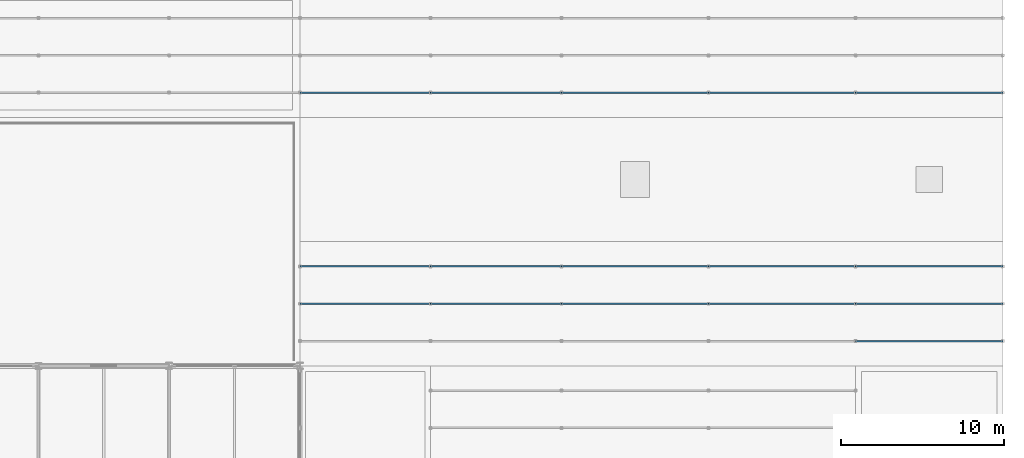
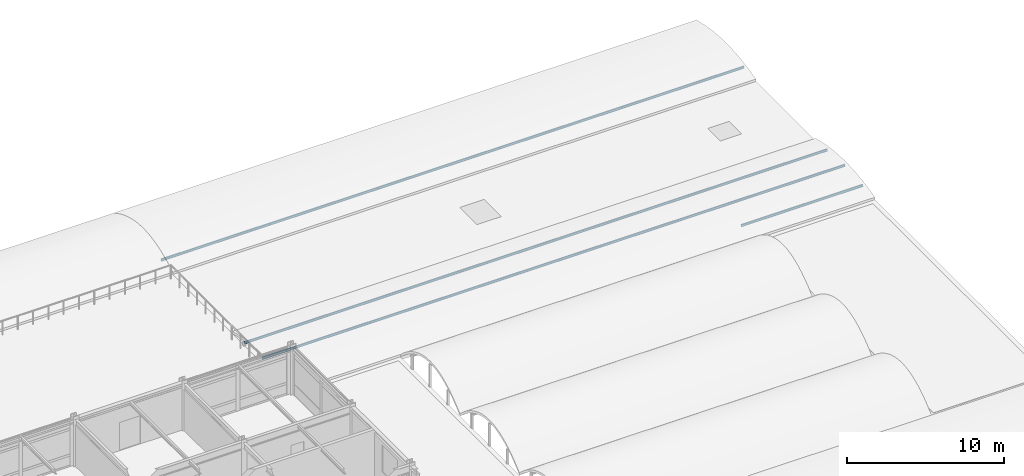
# One storey, part 20 of 46: 16 members.
"""IFC4 building model written with IfcOpenShell, lengths in metres."""

from ifc_helpers import new_model, si_unit, direction, frame, origin, origin_2d, place, context, subcontext, project, spatial, i_section, extrude, material, material_profile, profile_set, type_object, element, save


model = new_model("IFC4")

# Units and contexts
model_context = context("Model", 3, precision=1e-05, world=origin(), true_north=direction((0.0, 1.0)))
body_context = subcontext(model_context, "Body", "Model", "MODEL_VIEW")
ifc_project = project(units=[si_unit("LENGTHUNIT", "METRE"), si_unit("AREAUNIT", "SQUARE_METRE"), si_unit("VOLUMEUNIT", "CUBIC_METRE"), si_unit("PLANEANGLEUNIT", "RADIAN"), si_unit("MASSUNIT", "GRAM", prefix="KILO")], contexts=[model_context])

# Site, building, storey
site_placement = place(None, origin())
site = spatial("IfcSite", under=ifc_project, at=site_placement, CompositionType="ELEMENT")
building_placement = place(site_placement, origin())
building = spatial("IfcBuilding", under=site, at=building_placement, Name="Shalkamar Park Central Library", CompositionType="ELEMENT")
storey_placement = place(building_placement, frame((0.0, 0.0, 20.39990234375)))
storey = spatial("IfcBuildingStorey", under=building, at=storey_placement, Name="L05", CompositionType="ELEMENT", Elevation=20.39990234375)

# Members
ifc_material = material(Name="Steel S355", Category="steel")
ifc_material_profile = material_profile(ifc_material, i_section(OverallWidth=0.091064453125, OverallDepth=0.179931640625, WebThickness=0.00537109375, FlangeThickness=0.008056640625, FilletRadius=0.009033203125, at=origin_2d()), Name="IPE 180")
ifc_profile_set = profile_set([ifc_material_profile], Name="Steel S355")
member_type = type_object("IfcMemberType", Name="Roof Purlin IPE180", PredefinedType="PURLIN", material=ifc_profile_set)
member_placement = place(storey_placement, frame((255.0, 294.719970703125, 0.202880859375), z_axis=(1.0, 0.0, 0.0), x_axis=(0.0, 1.0, 0.0)))
element("IfcMember", 1, at=member_placement, inside=storey, type_object=member_type, Name="Barrel Roof Purlin BV-L04-N1-1.18", PredefinedType="PURLIN", context=body_context, shape_type="SweptSolid", body=[
    extrude(i_section(OverallWidth=0.091064453125, OverallDepth=0.179931640625, WebThickness=0.00537109375, FlangeThickness=0.008056640625, FilletRadius=0.009033203125, at=origin_2d()), origin(), (0.0, 0.0, 1.0), 9.0),
])
for number, where, z_axis, x_axis, name in (
    (2, (221.0, 297.0, 0.39013671875), (1.0, 0.0, 0.0), (0.0, 1.0, 0.0), "Barrel Roof Purlin BV-L04-N1-2.14"),
    (3, (229.0, 297.0, 0.39013671875), (1.0, 0.0, 0.0), (0.0, 1.0, 0.0), "Barrel Roof Purlin BV-L04-N1-2.15"),
):
    element("IfcMember", number, at=place(storey_placement, frame(where, z_axis=z_axis, x_axis=x_axis)), inside=storey, type_object=member_type, Name=name, PredefinedType="PURLIN", context=body_context, shape_type="SweptSolid", body=[
        extrude(i_section(OverallWidth=0.091064453125, OverallDepth=0.179931640625, WebThickness=0.00537109375, FlangeThickness=0.008056640625, FilletRadius=0.009033203125, at=origin_2d()), origin(), (0.0, 0.0, 1.0), 8.0),
    ])
for number, where, z_axis, x_axis, name in (
    (4, (237.0, 297.0, 0.39013671875), (1.0, 0.0, 0.0), (0.0, 1.0, 0.0), "Barrel Roof Purlin BV-L04-N1-2.16"),
    (5, (246.0, 297.0, 0.39013671875), (1.0, 0.0, 0.0), (0.0, 1.0, 0.0), "Barrel Roof Purlin BV-L04-N1-2.17"),
    (6, (255.0, 297.0, 0.39013671875), (1.0, 0.0, 0.0), (0.0, 1.0, 0.0), "Barrel Roof Purlin BV-L04-N1-2.18"),
):
    element("IfcMember", number, at=place(storey_placement, frame(where, z_axis=z_axis, x_axis=x_axis)), inside=storey, type_object=member_type, Name=name, PredefinedType="PURLIN", context=body_context, shape_type="SweptSolid", body=[
        extrude(i_section(OverallWidth=0.091064453125, OverallDepth=0.179931640625, WebThickness=0.00537109375, FlangeThickness=0.008056640625, FilletRadius=0.009033203125, at=origin_2d()), origin(), (0.0, 0.0, 1.0), 9.0),
    ])
for number, where, z_axis, x_axis, name in (
    (7, (221.0, 299.280029296875, 0.202880859375), (1.0, 0.0, 0.0), (0.0, 1.0, 0.0), "Barrel Roof Purlin BV-L04-N1-3.14"),
    (8, (229.0, 299.280029296875, 0.202880859375), (1.0, 0.0, 0.0), (0.0, 1.0, 0.0), "Barrel Roof Purlin BV-L04-N1-3.15"),
):
    element("IfcMember", number, at=place(storey_placement, frame(where, z_axis=z_axis, x_axis=x_axis)), inside=storey, type_object=member_type, Name=name, PredefinedType="PURLIN", context=body_context, shape_type="SweptSolid", body=[
        extrude(i_section(OverallWidth=0.091064453125, OverallDepth=0.179931640625, WebThickness=0.00537109375, FlangeThickness=0.008056640625, FilletRadius=0.009033203125, at=origin_2d()), origin(), (0.0, 0.0, 1.0), 8.0),
    ])
for number, where, z_axis, x_axis, name in (
    (9, (237.0, 299.280029296875, 0.202880859375), (1.0, 0.0, 0.0), (0.0, 1.0, 0.0), "Barrel Roof Purlin BV-L04-N1-3.16"),
    (10, (246.0, 299.280029296875, 0.202880859375), (1.0, 0.0, 0.0), (0.0, 1.0, 0.0), "Barrel Roof Purlin BV-L04-N1-3.17"),
    (11, (255.0, 299.280029296875, 0.202880859375), (1.0, 0.0, 0.0), (0.0, 1.0, 0.0), "Barrel Roof Purlin BV-L04-N1-3.18"),
):
    element("IfcMember", number, at=place(storey_placement, frame(where, z_axis=z_axis, x_axis=x_axis)), inside=storey, type_object=member_type, Name=name, PredefinedType="PURLIN", context=body_context, shape_type="SweptSolid", body=[
        extrude(i_section(OverallWidth=0.091064453125, OverallDepth=0.179931640625, WebThickness=0.00537109375, FlangeThickness=0.008056640625, FilletRadius=0.009033203125, at=origin_2d()), origin(), (0.0, 0.0, 1.0), 9.0),
    ])
for number, where, z_axis, x_axis, name in (
    (12, (221.0, 309.919921875, 0.202880859375), (1.0, 0.0, 0.0), (0.0, 1.0, 0.0), "Barrel Roof Purlin BV-L04-N2-1.14"),
    (13, (229.0, 309.919921875, 0.202880859375), (1.0, 0.0, 0.0), (0.0, 1.0, 0.0), "Barrel Roof Purlin BV-L04-N2-1.15"),
):
    element("IfcMember", number, at=place(storey_placement, frame(where, z_axis=z_axis, x_axis=x_axis)), inside=storey, type_object=member_type, Name=name, PredefinedType="PURLIN", context=body_context, shape_type="SweptSolid", body=[
        extrude(i_section(OverallWidth=0.091064453125, OverallDepth=0.179931640625, WebThickness=0.00537109375, FlangeThickness=0.008056640625, FilletRadius=0.009033203125, at=origin_2d()), origin(), (0.0, 0.0, 1.0), 8.0),
    ])
for number, where, z_axis, x_axis, name in (
    (14, (237.0, 309.919921875, 0.202880859375), (1.0, 0.0, 0.0), (0.0, 1.0, 0.0), "Barrel Roof Purlin BV-L04-N2-1.16"),
    (15, (246.0, 309.919921875, 0.202880859375), (1.0, 0.0, 0.0), (0.0, 1.0, 0.0), "Barrel Roof Purlin BV-L04-N2-1.17"),
    (16, (255.0, 309.919921875, 0.202880859375), (1.0, 0.0, 0.0), (0.0, 1.0, 0.0), "Barrel Roof Purlin BV-L04-N2-1.18"),
):
    element("IfcMember", number, at=place(storey_placement, frame(where, z_axis=z_axis, x_axis=x_axis)), inside=storey, type_object=member_type, Name=name, PredefinedType="PURLIN", context=body_context, shape_type="SweptSolid", body=[
        extrude(i_section(OverallWidth=0.091064453125, OverallDepth=0.179931640625, WebThickness=0.00537109375, FlangeThickness=0.008056640625, FilletRadius=0.009033203125, at=origin_2d()), origin(), (0.0, 0.0, 1.0), 9.0),
    ])

save(model, "model.ifc")
